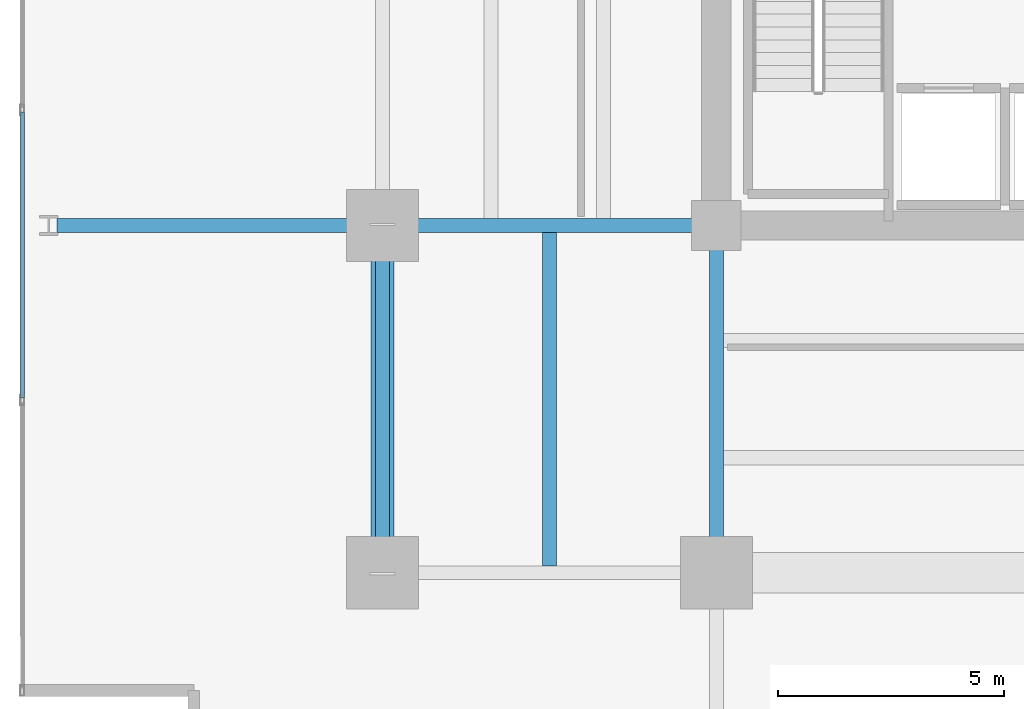
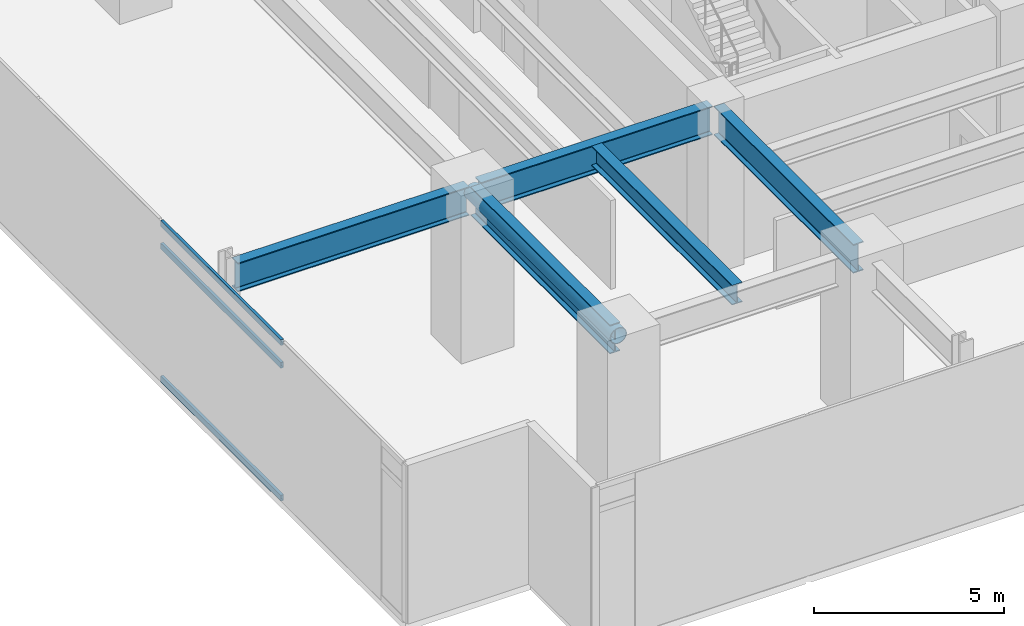
# One storey, part 3 of 23: 5 beams, 4 members, 1 element without a shape of its own.
"""IFC4 building model written with IfcOpenShell, lengths in metres."""

import ifcopenshell
import ifcopenshell.guid

model = None  # the IFC model being written
_history = None  # IfcOwnerHistory: only IFC2X3 demands one
_inside = {}  # id of a spatial element -> (the spatial element, [elements in it])
_under = {}  # id of a project, library or spatial element -> (it, [spatial elements below it])
_declared = {}  # id of a project -> (the project, [libraries it declares])
_typed = {}  # id of a type object -> (the type object, [elements of that type])
_made_of = {}  # id of a material, layer set ... -> (it, [elements and type objects made of it])


def new_model(schema):
    """Start an empty IFC model of exactly this schema.

    Asked for "IFC4X3", IfcOpenShell would pick the latest addendum, in which some entities
    have other attributes; the version numbers below select the first issue.
    IFC2X3 requires an IfcOwnerHistory on every rooted entity: one is made here for all.
    """
    global model, _history
    if schema == "IFC4X3":
        model = ifcopenshell.file(schema_version=(4, 3, 0, 0))
    else:
        model = ifcopenshell.file(schema=schema)
    _inside.clear()
    _under.clear()
    _declared.clear()
    _typed.clear()
    _made_of.clear()
    _history = None
    if model.schema == "IFC2X3":
        org = make("IfcOrganization", Name="unknown")
        user = make(
            "IfcPersonAndOrganization",
            ThePerson=make("IfcPerson", FamilyName="unknown"),
            TheOrganization=org,
        )
        app = make(
            "IfcApplication",
            ApplicationDeveloper=org,
            Version="unknown",
            ApplicationFullName="unknown",
            ApplicationIdentifier="unknown",
        )
        _history = make(
            "IfcOwnerHistory",
            OwningUser=user,
            OwningApplication=app,
            ChangeAction="ADDED",
            CreationDate=0,
        )
    return model


def make(cls, **values):
    """One entity of the class cls with the attributes given. An attribute that is None is left unset."""
    return model.create_entity(
        cls, **{name: value for name, value in values.items() if value is not None}
    )


def rooted(cls, **values):
    """An entity with a GlobalId (a new one), such as an element, a storey or a relation."""
    return make(cls, GlobalId=ifcopenshell.guid.new(), OwnerHistory=_history, **values)


def si_unit(unit_type, name, prefix=None):
    """IfcSIUnit, for example si_unit("LENGTHUNIT", "METRE", prefix="MILLI")."""
    return make("IfcSIUnit", UnitType=unit_type, Prefix=prefix, Name=name)


def assignment(units):
    """IfcUnitAssignment: the units of a project."""
    return None if units is None else make("IfcUnitAssignment", Units=units)


def point(xyz):
    """IfcCartesianPoint."""
    return None if xyz is None else make("IfcCartesianPoint", Coordinates=xyz)


def direction(xyz):
    """IfcDirection."""
    return None if xyz is None else make("IfcDirection", DirectionRatios=xyz)


def frame(location, z_axis=None, x_axis=None):
    """IfcAxis2Placement3D, a coordinate frame: its origin and axes. An axis left out is left unset."""
    return make(
        "IfcAxis2Placement3D",
        Location=point(location),
        Axis=direction(z_axis),
        RefDirection=direction(x_axis),
    )


def frame_2d(location, x_axis=None):
    """IfcAxis2Placement2D, a coordinate frame in the plane: its origin and x axis."""
    return make(
        "IfcAxis2Placement2D", Location=point(location), RefDirection=direction(x_axis)
    )


def origin():
    """The frame at (0, 0, 0) with its axes left unset."""
    return frame((0.0, 0.0, 0.0))


def origin_2d():
    """The frame at (0, 0) in the plane with its x axis left unset."""
    return frame_2d((0.0, 0.0))


def place(relative_to, where):
    """IfcLocalPlacement: puts the frame where relative to a parent placement (None: the world)."""
    return make(
        "IfcLocalPlacement", PlacementRelTo=relative_to, RelativePlacement=where
    )


def context(
    kind, dimensions, precision=None, world=None, true_north=None, identifier=None
):
    """IfcGeometricRepresentationContext, for example the 3D "Model" context."""
    return make(
        "IfcGeometricRepresentationContext",
        ContextIdentifier=identifier,
        ContextType=kind,
        CoordinateSpaceDimension=dimensions,
        Precision=precision,
        WorldCoordinateSystem=world,
        TrueNorth=true_north,
    )


def subcontext(parent, identifier, kind, view, scale=None):
    """IfcGeometricRepresentationSubContext, for example "Body" below "Model"."""
    return make(
        "IfcGeometricRepresentationSubContext",
        ContextIdentifier=identifier,
        ContextType=kind,
        ParentContext=parent,
        TargetScale=scale,
        TargetView=view,
    )


def project(units=None, contexts=None):
    """IfcProject with its units and contexts."""
    return rooted(
        "IfcProject",
        Name="project",
        RepresentationContexts=contexts,
        UnitsInContext=assignment(units),
    )


def spatial(cls, under=None, at=None, **own):
    """A site, building, storey or space (cls), placed at a placement, below another one or the project."""
    s = rooted(cls, ObjectPlacement=at, **own)
    if under is not None:
        _under.setdefault(under.id(), (under, []))[1].append(s)
    return s


def profile(cls, at=None, kind="AREA", **sizes):
    """A parametric profile (cls). Its sizes go by their IFC names, for example OverallWidth=200.0."""
    return make(cls, ProfileType=kind, Position=at, **sizes)


def hollow_rectangle(**sizes):
    """IfcRectangleHollowProfileDef."""
    return profile("IfcRectangleHollowProfileDef", **sizes)


def hollow_circle(**sizes):
    """IfcCircleHollowProfileDef."""
    return profile("IfcCircleHollowProfileDef", **sizes)


def i_section(**sizes):
    """IfcIShapeProfileDef."""
    return profile("IfcIShapeProfileDef", **sizes)


def extrude(swept, where, along, depth):
    """IfcExtrudedAreaSolid: the profile swept, set in the frame where, extruded along a direction by depth."""
    return make(
        "IfcExtrudedAreaSolid",
        SweptArea=swept,
        Position=where,
        ExtrudedDirection=direction(along),
        Depth=depth,
    )


def shape(context_of_items, identifier, shape_type, items):
    """IfcShapeRepresentation: the items that make up one representation, for example the "Body"."""
    return make(
        "IfcShapeRepresentation",
        ContextOfItems=context_of_items,
        RepresentationIdentifier=identifier,
        RepresentationType=shape_type,
        Items=items,
    )


def material(Name=None, Category=None):
    """IfcMaterial."""
    return make("IfcMaterial", Name=Name, Category=Category)


def material_profile(
    of_material, cross_section, Name=None, Category=None, Priority=None
):
    """IfcMaterialProfile: a cross section and its material."""
    return make(
        "IfcMaterialProfile",
        Name=Name,
        Material=of_material,
        Profile=cross_section,
        Priority=Priority,
        Category=Category,
    )


def profile_set(profiles, Name=None, composite=None):
    """IfcMaterialProfileSet."""
    return make(
        "IfcMaterialProfileSet",
        Name=Name,
        MaterialProfiles=profiles,
        CompositeProfile=composite,
    )


def made_of(thing, what):
    """Note that an element or type object is made of a material, layer set ...; save() writes the relation."""
    if what is not None:
        _made_of.setdefault(what.id(), (what, []))[1].append(thing)
    return thing


def type_object(cls, material=None, **own):
    """A type object (cls), such as IfcWallType, which elements share."""
    return made_of(rooted(cls, **own), material)


def element(
    cls,
    number,
    at=None,
    inside=None,
    cuts=None,
    type_object=None,
    material=None,
    context=None,
    identifier="Body",
    shape_type=None,
    held_by="IfcProductDefinitionShape",
    body=None,
    shapes=None,
    **own,
):
    """One element of the class cls, such as IfcWall. Its Tag is "e" and its number.

    at: its placement. inside: the storey or other place that contains it. cuts: it is an
    opening in that element (IfcRelVoidsElement). A single representation is given by context,
    identifier, shape_type and body (its items); several are given by shapes. held_by: the class
    of the entity that holds the representations. save() writes the other relations.
    """
    e = rooted(cls, Tag="e%d" % number, ObjectPlacement=at, **own)
    if body is not None:
        shapes = [shape(context, identifier, shape_type, body)]
    if shapes is not None:
        e.Representation = make(held_by, Representations=shapes)
    if inside is not None:
        _inside.setdefault(inside.id(), (inside, []))[1].append(e)
    if cuts is not None:
        rooted(
            "IfcRelVoidsElement", RelatingBuildingElement=cuts, RelatedOpeningElement=e
        )
    if type_object is not None:
        _typed.setdefault(type_object.id(), (type_object, []))[1].append(e)
    return made_of(e, material)


def aggregate(whole, parts):
    """IfcRelAggregates: a whole, such as a stair, and the parts it consists of."""
    return rooted("IfcRelAggregates", RelatingObject=whole, RelatedObjects=parts)


def save(model, path):
    """Write the relations noted so far, then the file.

    IfcRelAggregates (storeys below a building ...), IfcRelContainedInSpatialStructure (elements
    in a storey), IfcRelDefinesByType, IfcRelAssociatesMaterial and IfcRelDeclares: one each for
    every whole, place, type object, material and project.
    """
    for whole, parts in _under.values():
        aggregate(whole, parts)
    for where, things in _inside.values():
        rooted(
            "IfcRelContainedInSpatialStructure",
            RelatedElements=things,
            RelatingStructure=where,
        )
    for kind, things in _typed.values():
        rooted("IfcRelDefinesByType", RelatedObjects=things, RelatingType=kind)
    for what, things in _made_of.values():
        rooted("IfcRelAssociatesMaterial", RelatedObjects=things, RelatingMaterial=what)
    for by, libraries in _declared.values():
        rooted("IfcRelDeclares", RelatingContext=by, RelatedDefinitions=libraries)
    model.write(path)


model = new_model("IFC4")

# Units and contexts
model_context = context("Model", 3, precision=1e-05, world=origin(), true_north=direction((0.0, 1.0)))
body_context = subcontext(model_context, "Body", "Model", "MODEL_VIEW")
ifc_project = project(units=[si_unit("LENGTHUNIT", "METRE"), si_unit("AREAUNIT", "SQUARE_METRE"), si_unit("VOLUMEUNIT", "CUBIC_METRE"), si_unit("PLANEANGLEUNIT", "RADIAN"), si_unit("MASSUNIT", "GRAM", prefix="KILO")], contexts=[model_context])

# Site, building, storey
site_placement = place(None, origin())
site = spatial("IfcSite", under=ifc_project, at=site_placement, CompositionType="ELEMENT")
building_placement = place(site_placement, origin())
building = spatial("IfcBuilding", under=site, at=building_placement, Name="Kovane Verandah Tower", CompositionType="ELEMENT")
storey_placement = place(building_placement, frame((0.0, 0.0, 107.60009765625)))
storey = spatial("IfcBuildingStorey", under=building, at=storey_placement, Name="L25", CompositionType="ELEMENT", Elevation=107.60009765625)

# Beams
ifc_material_1 = material(Name="Steel S460", Category="steel")
ifc_material_profile_1 = material_profile(ifc_material_1, i_section(OverallWidth=0.311279296875, OverallDepth=0.6357421875, WebThickness=0.018310546875, FlangeThickness=0.031494140625, FilletRadius=0.0166015625, at=origin_2d()), Name="UB610x305x238")
ifc_profile_set_1 = profile_set([ifc_material_profile_1], Name="Steel S460")
beam_type_1 = type_object("IfcBeamType", Name="BM-UB610x238", PredefinedType="BEAM", material=ifc_profile_set_1)
beam_1_placement = place(storey_placement, frame((25.300048828125, 10.951904296875, 4.781982421875), z_axis=(0.0, 1.0, 0.0), x_axis=(-1.0, 0.0, 0.0)))
element("IfcBeam", 1, at=beam_1_placement, inside=storey, type_object=beam_type_1, Name="L25 Secondary Composite Joist J-SW1", PredefinedType="BEAM", context=body_context, shape_type="SweptSolid", body=[
    extrude(i_section(OverallWidth=0.311279296875, OverallDepth=0.6357421875, WebThickness=0.018310546875, FlangeThickness=0.031494140625, FilletRadius=0.0166015625, at=origin_2d()), origin(), (0.0, 0.0, 1.0), 7.396240234375),
])
ifc_material_profile_2 = material_profile(ifc_material_1, i_section(OverallWidth=0.3076171875, OverallDepth=0.926513671875, WebThickness=0.01953125, FlangeThickness=0.031982421875, FilletRadius=0.01904296875, at=origin_2d()), Name="UB914x305x289")
ifc_profile_set_2 = profile_set([ifc_material_profile_2], Name="Steel S460")
beam_type_2 = type_object("IfcBeamType", Name="BM-UB914x289", PredefinedType="BEAM", material=ifc_profile_set_2)
beam_2_placement = place(storey_placement, frame((21.60009765625, 10.97998046875, 4.63671875), z_axis=(0.0, 1.0, 0.0), x_axis=(-1.0, 0.0, 0.0)))
element("IfcBeam", 2, at=beam_2_placement, inside=storey, type_object=beam_type_2, Name="L25 Primary Tower Girder G-RW1", PredefinedType="BEAM", context=body_context, shape_type="SweptSolid", body=[
    extrude(i_section(OverallWidth=0.3076171875, OverallDepth=0.926513671875, WebThickness=0.01953125, FlangeThickness=0.031982421875, FilletRadius=0.01904296875, at=origin_2d()), origin(), (0.0, 0.0, 1.0), 7.340087890625),
])
beam_3_placement = place(storey_placement, frame((28.820068359375, 18.5, 4.63671875), z_axis=(-1.0, 0.0, 0.0), x_axis=(0.0, -1.0, 0.0)))
element("IfcBeam", 3, at=beam_3_placement, inside=storey, type_object=beam_type_2, Name="L25 Primary Tower Girder G-W1", PredefinedType="BEAM", context=body_context, shape_type="SweptSolid", body=[
    extrude(i_section(OverallWidth=0.3076171875, OverallDepth=0.926513671875, WebThickness=0.01953125, FlangeThickness=0.031982421875, FilletRadius=0.01904296875, at=origin_2d()), origin(), (0.0, 0.0, 1.0), 7.0400390625),
])
beam_4_placement = place(storey_placement, frame((29.0, 18.320068359375, 4.63671875), z_axis=(0.0, -1.0, 0.0), x_axis=(1.0, 0.0, 0.0)))
element("IfcBeam", 4, at=beam_4_placement, inside=storey, type_object=beam_type_2, Name="L25 Primary Tower Girder G-S1", PredefinedType="BEAM", context=body_context, shape_type="SweptSolid", body=[
    extrude(i_section(OverallWidth=0.3076171875, OverallDepth=0.926513671875, WebThickness=0.01953125, FlangeThickness=0.031982421875, FilletRadius=0.01904296875, at=origin_2d()), origin(), (0.0, 0.0, 1.0), 7.340087890625),
])
beam_5_placement = place(storey_placement, frame((21.419921875, 18.5, 4.63671875), z_axis=(-1.0, 0.0, 0.0), x_axis=(0.0, -1.0, 0.0)))
element("IfcBeam", 5, at=beam_5_placement, inside=storey, type_object=beam_type_2, Name="L25 Primary Tower Girder G-VW1", PredefinedType="BEAM", context=body_context, shape_type="SweptSolid", body=[
    extrude(i_section(OverallWidth=0.3076171875, OverallDepth=0.926513671875, WebThickness=0.01953125, FlangeThickness=0.031982421875, FilletRadius=0.01904296875, at=origin_2d()), origin(), (0.0, 0.0, 1.0), 7.0400390625),
])

# Curtain wall, members
ifc_material_2 = material(Name="Champagne Anodised Aluminium Frame with Low-E Clear Laminated Glass", Category="aluminium")
curtain_wall_type = type_object("IfcCurtainWallType", Name="CW-SYS-02-LOW", PredefinedType="NOTDEFINED", material=ifc_material_2)
curtain_wall_placement = place(storey_placement, origin())
curtain_wall = element("IfcCurtainWall", 6, at=curtain_wall_placement, inside=storey, type_object=curtain_wall_type, Name="L25 W Unitised Curtain Wall", PredefinedType="NOTDEFINED")
ifc_material_3 = material(Name="Champagne Anodised Aluminium 6063-T6", Category="aluminium")
ifc_material_profile_3 = material_profile(ifc_material_3, hollow_rectangle(XDim=0.0849609375, YDim=0.18994140625, WallThickness=0.00390625, at=origin_2d()), Name="AL85x190x4")
ifc_profile_set_3 = profile_set([ifc_material_profile_3], Name="Champagne Anodised Aluminium 6063-T6")
member_type_1 = type_object("IfcMemberType", Name="CW-TRN-85x190", PredefinedType="USERDEFINED", material=ifc_profile_set_3)
member_1_placement = place(storey_placement, frame((13.613037109375, 21.012939453125, 0.0498046875), z_axis=(0.0, -1.0, 0.0), x_axis=(1.0, 0.0, 0.0)))
member_1 = element("IfcMember", 7, at=member_1_placement, type_object=member_type_1, Name="L25 W Unitised Curtain Wall Transom TB Bay 5", ObjectType="TRANSOM", PredefinedType="USERDEFINED", context=body_context, shape_type="SweptSolid", body=[
    extrude(hollow_rectangle(XDim=0.0849609375, YDim=0.18994140625, WallThickness=0.00390625, at=origin_2d()), origin(), (0.0, 0.0, 1.0), 6.3369140625),
])
member_2_placement = place(storey_placement, frame((13.613037109375, 21.012939453125, 4.31982421875), z_axis=(0.0, -1.0, 0.0), x_axis=(1.0, 0.0, 0.0)))
member_2 = element("IfcMember", 8, at=member_2_placement, type_object=member_type_1, Name="L25 W Unitised Curtain Wall Transom TM Bay 5", ObjectType="TRANSOM", PredefinedType="USERDEFINED", context=body_context, shape_type="SweptSolid", body=[
    extrude(hollow_rectangle(XDim=0.0849609375, YDim=0.18994140625, WallThickness=0.00390625, at=origin_2d()), origin(), (0.0, 0.0, 1.0), 6.3369140625),
])
member_3_placement = place(storey_placement, frame((13.613037109375, 21.012939453125, 5.0498046875), z_axis=(0.0, -1.0, 0.0), x_axis=(1.0, 0.0, 0.0)))
member_3 = element("IfcMember", 9, at=member_3_placement, type_object=member_type_1, Name="L25 W Unitised Curtain Wall Transom TT Bay 5", ObjectType="TRANSOM", PredefinedType="USERDEFINED", context=body_context, shape_type="SweptSolid", body=[
    extrude(hollow_rectangle(XDim=0.0849609375, YDim=0.18994140625, WallThickness=0.00390625, at=origin_2d()), origin(), (0.0, 0.0, 1.0), 6.3369140625),
])
aggregate(curtain_wall, [member_1, member_2, member_3])

# Member
ifc_material_profile_4 = material_profile(ifc_material_1, hollow_circle(Radius=0.25390625, WallThickness=0.02001953125, at=origin_2d()), Name="CHS508x20")
ifc_profile_set_4 = profile_set([ifc_material_profile_4], Name="Steel S460")
member_type_2 = type_object("IfcMemberType", Name="MEM-BR-CHS508", PredefinedType="BRACE", material=ifc_profile_set_4)
member_4_placement = place(storey_placement, frame((21.60009765625, 10.800048828125, 4.81982421875), z_axis=(0.0, 1.0, 0.0), x_axis=(-1.0, 0.0, 0.0)))
element("IfcMember", 10, at=member_4_placement, inside=storey, type_object=member_type_2, Name="L25 Belt-Truss Ring Chord BW1", PredefinedType="BRACE", context=body_context, shape_type="SweptSolid", body=[
    extrude(hollow_circle(Radius=0.25390625, WallThickness=0.02001953125, at=origin_2d()), origin(), (0.0, 0.0, 1.0), 7.699951171875),
])

save(model, "model.ifc")
